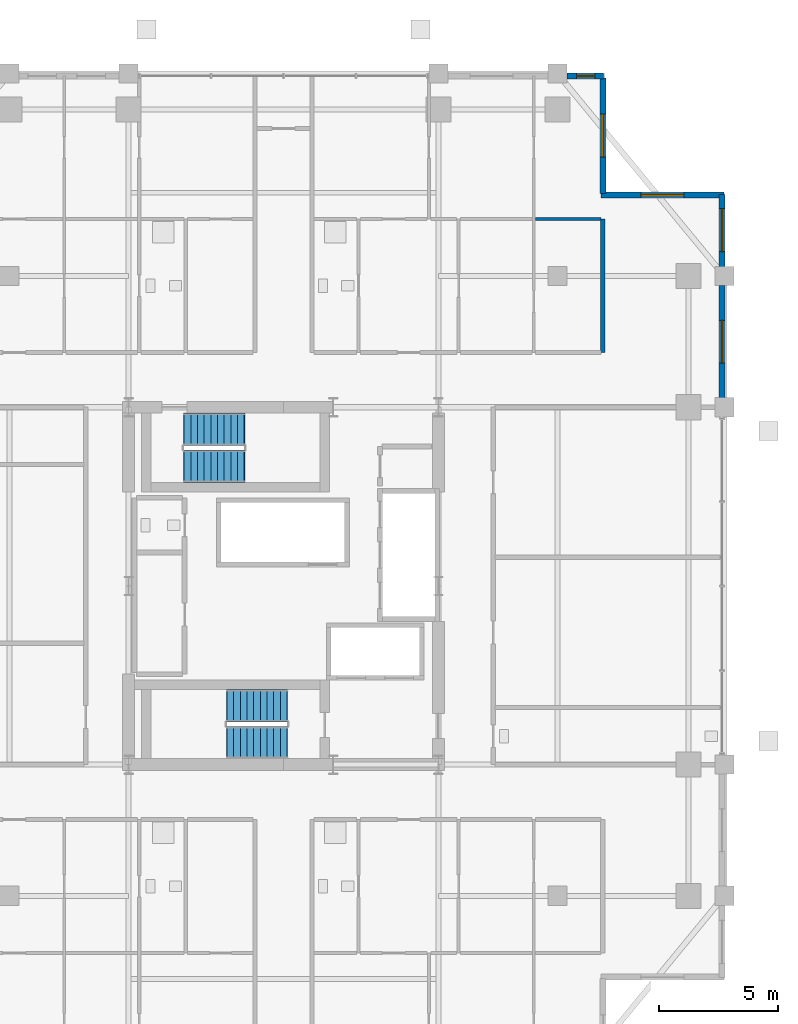
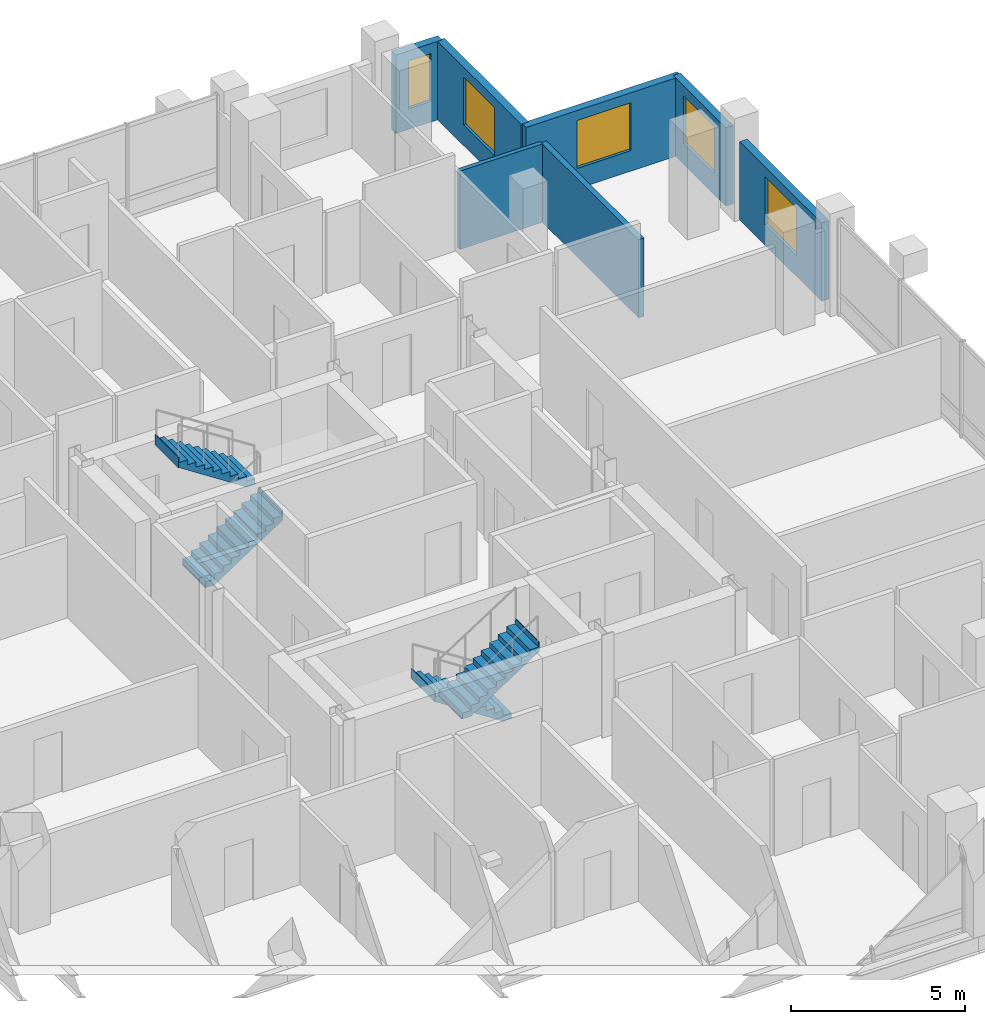
# One storey, part 22 of 24: 7 walls, 5 windows, 4 stair flights, 5 openings, 2 elements without a shape of their own.
"""IFC4 building model written with IfcOpenShell, lengths in metres."""

from ifc_helpers import new_model, si_unit, direction, frame, frame_2d, origin, place, context, subcontext, project, spatial, polyline, rectangle, outline, extrude, material, layer, layer_set, type_object, element, fill, aggregate, save


model = new_model("IFC4")

# Units and contexts
model_context = context("Model", 3, precision=1e-05, world=origin(), true_north=direction((0.0, 1.0)))
body_context = subcontext(model_context, "Body", "Model", "MODEL_VIEW")
ifc_project = project(units=[si_unit("LENGTHUNIT", "METRE"), si_unit("AREAUNIT", "SQUARE_METRE"), si_unit("VOLUMEUNIT", "CUBIC_METRE"), si_unit("PLANEANGLEUNIT", "RADIAN"), si_unit("MASSUNIT", "GRAM", prefix="KILO")], contexts=[model_context])

# Site, building, storey
site_placement = place(None, origin())
site = spatial("IfcSite", under=ifc_project, at=site_placement, CompositionType="ELEMENT")
building_placement = place(site_placement, origin())
building = spatial("IfcBuilding", under=site, at=building_placement, Name="Barlavira Tower and Art Museum", CompositionType="ELEMENT")
storey_placement = place(building_placement, frame((0.0, 0.0, 201.60009765625)))
storey = spatial("IfcBuildingStorey", under=building, at=storey_placement, Name="L52", CompositionType="ELEMENT", Elevation=201.60009765625)

# Walls
ifc_material_1 = material(Name="Gypsum acoustic stud partition", Category="gypsum")
ifc_layer_1 = layer(ifc_material_1, 0.179931640625, Name="Gypsum acoustic stud partition")
ifc_layer_set_1 = layer_set([ifc_layer_1], Name="Gypsum acoustic stud partition")
wall_type_1 = type_object("IfcWallType", Name="Inter-Tenancy Party Partition Wall 180", PredefinedType="PARTITIONING", material=ifc_layer_set_1)
wall_1_placement = place(storey_placement, frame((13.39990234375, 9.800048828125, 0.0), z_axis=(0.0, 0.0, 1.0), x_axis=(0.0, 1.0, 0.0)))
element("IfcWall", 1, at=wall_1_placement, inside=storey, type_object=wall_type_1, Name="L52 Partition Wall 27", PredefinedType="PARTITIONING", context=body_context, shape_type="SweptSolid", body=[
    extrude(rectangle(XDim=5.599853515625, YDim=0.179931640625, at=frame_2d((2.7998046875, 0.0))), origin(), (0.0, 0.0, 1.0), 2.747802734375),
])
ifc_layer_2 = layer(ifc_material_1, 0.139892578125, Name="Gypsum acoustic stud partition")
ifc_layer_set_2 = layer_set([ifc_layer_2], Name="Gypsum acoustic stud partition")
wall_type_2 = type_object("IfcWallType", Name="Moisture-Resistant Bathroom Partition 140", PredefinedType="PARTITIONING", material=ifc_layer_set_2)
wall_2_placement = place(storey_placement, frame((10.580078125, 15.39990234375, 0.0), z_axis=(0.0, 0.0, 1.0), x_axis=(1.0, 0.0, 0.0)))
element("IfcWall", 2, at=wall_2_placement, inside=storey, type_object=wall_type_2, Name="L52 Partition Wall 74", PredefinedType="PARTITIONING", context=body_context, shape_type="SweptSolid", body=[
    extrude(rectangle(XDim=2.739990234375, YDim=0.139892578125, at=frame_2d((1.3701171875, 0.0))), origin(), (0.0, 0.0, 1.0), 2.747802734375),
])

# Wall, opening, window
ifc_material_2 = material(Name="Precast concrete C40", Category="concrete")
ifc_layer_3 = layer(ifc_material_2, 0.25, Name="Precast concrete C40")
ifc_layer_set_3 = layer_set([ifc_layer_3], Name="Precast concrete C40")
wall_type_3 = type_object("IfcWallType", Name="Notched Corner Spandrel Wall 250 Precast Concrete C40", PredefinedType="SOLIDWALL", material=ifc_layer_set_3)
wall_3_placement = place(storey_placement, frame((13.425048828125, 21.39990234375, 0.0), z_axis=(0.0, 0.0, 1.0), x_axis=(-1.0, 0.0, 0.0)))
wall_3 = element("IfcWall", 3, at=wall_3_placement, inside=storey, type_object=wall_type_3, Name="L52 Coastal Facade Pier Wall CW3-L52-N-1", PredefinedType="SOLIDWALL", context=body_context, shape_type="SweptSolid", body=[
    extrude(rectangle(XDim=1.530029296875, YDim=0.25, at=frame_2d((0.76513671875, 0.0))), origin(), (0.0, 0.0, 1.0), 2.747802734375),
])
opening_1_placement = place(wall_3_placement, frame((0.363037109375, 0.0, 0.719970703125)))
opening_1 = element("IfcOpeningElement", 4, at=opening_1_placement, cuts=wall_3, Name="Opening WN-06", PredefinedType="OPENING", context=body_context, shape_type="SweptSolid", body=[
    extrude(rectangle(XDim=0.760009765625, YDim=1.679931640625, at=frame_2d((0.3798828125, 0.83984375))), frame((0.0, 0.135009765625, 0.0), z_axis=(0.0, -1.0, 0.0), x_axis=(1.0, 0.0, 0.0)), (0.0, 0.0, 1.0), 0.27001953125),
])
ifc_material_3 = material(Name="Low-iron coastal laminated glass", Category="glass")
window_type_1 = type_object("IfcWindowType", Name="Recessed Narrow Pier Window 760x1680", PartitioningType="SINGLE_PANEL", PredefinedType="WINDOW", material=ifc_material_3)
window_1_placement = place(opening_1_placement, origin())
window_1 = element("IfcWindow", 5, at=window_1_placement, inside=storey, type_object=window_type_1, Name="L52 Punched Facade Window EWP-CW3-L52-N-1-1", OverallHeight=1.679931640625, OverallWidth=0.760009765625, PartitioningType="SINGLE_PANEL", PredefinedType="WINDOW", context=body_context, shape_type="SweptSolid", body=[
    extrude(rectangle(XDim=0.760009765625, YDim=1.679931640625, at=frame_2d((0.3798828125, 0.83984375))), frame((0.0, 0.030029296875, 0.0), z_axis=(0.0, -1.0, 0.0), x_axis=(1.0, 0.0, 0.0)), (0.0, 0.0, 1.0), 0.06005859375),
])
fill(opening_1, window_1)

wall_4_placement = place(storey_placement, frame((18.39990234375, 7.89501953125, 0.0), z_axis=(0.0, 0.0, 1.0), x_axis=(0.0, 1.0, 0.0)))
wall_4 = element("IfcWall", 6, at=wall_4_placement, inside=storey, type_object=wall_type_3, Name="L52 Coastal Facade Pier Wall CW3-L52-E-4", PredefinedType="SOLIDWALL", context=body_context, shape_type="SweptSolid", body=[
    extrude(rectangle(XDim=4.7099609375, YDim=0.25, at=frame_2d((2.35498046875, 0.0))), origin(), (0.0, 0.0, 1.0), 2.747802734375),
])
opening_2_placement = place(wall_4_placement, frame((1.455078125, 0.0, 0.719970703125)))
opening_2 = element("IfcOpeningElement", 7, at=opening_2_placement, cuts=wall_4, Name="Opening WN-01", PredefinedType="OPENING", context=body_context, shape_type="SweptSolid", body=[
    extrude(rectangle(XDim=1.800048828125, YDim=1.679931640625, at=frame_2d((0.89990234375, 0.83984375))), frame((0.0, 0.135009765625, 0.0), z_axis=(0.0, -1.0, 0.0), x_axis=(1.0, 0.0, 0.0)), (0.0, 0.0, 1.0), 0.27001953125),
])
window_type_2 = type_object("IfcWindowType", Name="Recessed Notch Corner Punch Window 1800x1680", PartitioningType="SINGLE_PANEL", PredefinedType="WINDOW", material=ifc_material_3)
window_2_placement = place(opening_2_placement, origin())
window_2 = element("IfcWindow", 8, at=window_2_placement, inside=storey, type_object=window_type_2, Name="L52 Punched Facade Window EWP-CW3-L52-E-4-1", OverallHeight=1.679931640625, OverallWidth=1.800048828125, PartitioningType="SINGLE_PANEL", PredefinedType="WINDOW", context=body_context, shape_type="SweptSolid", body=[
    extrude(rectangle(XDim=1.800048828125, YDim=1.679931640625, at=frame_2d((0.89990234375, 0.83984375))), frame((0.0, 0.030029296875, 0.0), z_axis=(0.0, -1.0, 0.0), x_axis=(1.0, 0.0, 0.0)), (0.0, 0.0, 1.0), 0.06005859375),
])
fill(opening_2, window_2)

wall_5_placement = place(storey_placement, frame((18.39990234375, 13.39501953125, 0.0), z_axis=(0.0, 0.0, 1.0), x_axis=(0.0, 1.0, 0.0)))
wall_5 = element("IfcWall", 9, at=wall_5_placement, inside=storey, type_object=wall_type_3, Name="L52 Coastal Facade Pier Wall CW3-L52-E-5", PredefinedType="SOLIDWALL", context=body_context, shape_type="SweptSolid", body=[
    extrude(rectangle(XDim=3.030029296875, YDim=0.25, at=frame_2d((1.51513671875, 0.0))), origin(), (0.0, 0.0, 1.0), 2.747802734375),
])
opening_3_placement = place(wall_5_placement, frame((0.637939453125, 0.0, 0.719970703125)))
opening_3 = element("IfcOpeningElement", 10, at=opening_3_placement, cuts=wall_5, Name="Opening WN-01", PredefinedType="OPENING", context=body_context, shape_type="SweptSolid", body=[
    extrude(rectangle(XDim=1.800048828125, YDim=1.679931640625, at=frame_2d((0.89990234375, 0.83984375))), frame((0.0, 0.135009765625, 0.0), z_axis=(0.0, -1.0, 0.0), x_axis=(1.0, 0.0, 0.0)), (0.0, 0.0, 1.0), 0.27001953125),
])
window_3_placement = place(opening_3_placement, origin())
window_3 = element("IfcWindow", 11, at=window_3_placement, inside=storey, type_object=window_type_2, Name="L52 Punched Facade Window EWP-CW3-L52-E-5-1", OverallHeight=1.679931640625, OverallWidth=1.800048828125, PartitioningType="SINGLE_PANEL", PredefinedType="WINDOW", context=body_context, shape_type="SweptSolid", body=[
    extrude(rectangle(XDim=1.800048828125, YDim=1.679931640625, at=frame_2d((0.89990234375, 0.83984375))), frame((0.0, 0.030029296875, 0.0), z_axis=(0.0, -1.0, 0.0), x_axis=(1.0, 0.0, 0.0)), (0.0, 0.0, 1.0), 0.06005859375),
])
fill(opening_3, window_3)

wall_6_placement = place(storey_placement, frame((18.47998046875, 16.39990234375, 0.0), z_axis=(0.0, 0.0, 1.0), x_axis=(-1.0, 0.0, 0.0)))
wall_6 = element("IfcWall", 12, at=wall_6_placement, inside=storey, type_object=wall_type_3, Name="L52 Notch Corner Wall NE1", PredefinedType="SOLIDWALL", context=body_context, shape_type="SweptSolid", body=[
    extrude(rectangle(XDim=5.159912109375, YDim=0.25, at=frame_2d((2.580078125, 0.0))), origin(), (0.0, 0.0, 1.0), 2.747802734375),
])
opening_4_placement = place(wall_6_placement, frame((1.679931640625, 0.0, 0.719970703125)))
opening_4 = element("IfcOpeningElement", 13, at=opening_4_placement, cuts=wall_6, Name="Opening WN-01", PredefinedType="OPENING", context=body_context, shape_type="SweptSolid", body=[
    extrude(rectangle(XDim=1.800048828125, YDim=1.679931640625, at=frame_2d((0.89990234375, 0.83984375))), frame((0.0, 0.135009765625, 0.0), z_axis=(0.0, -1.0, 0.0), x_axis=(1.0, 0.0, 0.0)), (0.0, 0.0, 1.0), 0.27001953125),
])
window_4_placement = place(opening_4_placement, origin())
window_4 = element("IfcWindow", 14, at=window_4_placement, inside=storey, type_object=window_type_2, Name="L52 Punched Facade Window EW-NTC-L52-NE1-1", OverallHeight=1.679931640625, OverallWidth=1.800048828125, PartitioningType="SINGLE_PANEL", PredefinedType="WINDOW", context=body_context, shape_type="SweptSolid", body=[
    extrude(rectangle(XDim=1.800048828125, YDim=1.679931640625, at=frame_2d((0.89990234375, 0.83984375))), frame((0.0, 0.030029296875, 0.0), z_axis=(0.0, -1.0, 0.0), x_axis=(1.0, 0.0, 0.0)), (0.0, 0.0, 1.0), 0.06005859375),
])
fill(opening_4, window_4)

wall_7_placement = place(storey_placement, frame((13.39990234375, 16.47998046875, 0.0), z_axis=(0.0, 0.0, 1.0), x_axis=(0.0, 1.0, 0.0)))
wall_7 = element("IfcWall", 15, at=wall_7_placement, inside=storey, type_object=wall_type_3, Name="L52 Notch Corner Wall NE2", PredefinedType="SOLIDWALL", context=body_context, shape_type="SweptSolid", body=[
    extrude(rectangle(XDim=4.840087890625, YDim=0.25, at=frame_2d((2.419921875, 0.0))), origin(), (0.0, 0.0, 1.0), 2.747802734375),
])
opening_5_placement = place(wall_7_placement, frame((1.52001953125, 0.0, 0.719970703125)))
opening_5 = element("IfcOpeningElement", 16, at=opening_5_placement, cuts=wall_7, Name="Opening WN-01", PredefinedType="OPENING", context=body_context, shape_type="SweptSolid", body=[
    extrude(rectangle(XDim=1.800048828125, YDim=1.679931640625, at=frame_2d((0.89990234375, 0.83984375))), frame((0.0, 0.135009765625, 0.0), z_axis=(0.0, -1.0, 0.0), x_axis=(1.0, 0.0, 0.0)), (0.0, 0.0, 1.0), 0.27001953125),
])
window_5_placement = place(opening_5_placement, origin())
window_5 = element("IfcWindow", 17, at=window_5_placement, inside=storey, type_object=window_type_2, Name="L52 Punched Facade Window EW-NTC-L52-NE2-1", OverallHeight=1.679931640625, OverallWidth=1.800048828125, PartitioningType="SINGLE_PANEL", PredefinedType="WINDOW", context=body_context, shape_type="SweptSolid", body=[
    extrude(rectangle(XDim=1.800048828125, YDim=1.679931640625, at=frame_2d((0.89990234375, 0.83984375))), frame((0.0, 0.030029296875, 0.0), z_axis=(0.0, -1.0, 0.0), x_axis=(1.0, 0.0, 0.0)), (0.0, 0.0, 1.0), 0.06005859375),
])
fill(opening_5, window_5)

# Stair, stair flights
ifc_material_4 = material(Name="Concrete C45", Category="concrete")
stair_type_1 = type_object("IfcStairType", Name="Tower North Dog-Leg Exit Stair Assembly Concrete C45", PredefinedType="TWO_QUARTER_TURN_STAIR", material=ifc_material_4)
stair_1_placement = place(storey_placement, origin())
stair_1 = element("IfcStair", 18, at=stair_1_placement, inside=storey, type_object=stair_type_1, Name="L52 Tower North Exit Stair ST-T2", PredefinedType="TWO_QUARTER_TURN_STAIR")
ifc_material_5 = material(Name="Precast concrete C45", Category="concrete")
stair_flight_type_1 = type_object("IfcStairFlightType", Name="Tower North Dog-Leg Exit Stair Precast Flight 1350 Concrete C45", PredefinedType="STRAIGHT", material=ifc_material_5)
stair_flight_1_placement = place(storey_placement, frame((-4.169921875, 5.02490234375, 0.0), z_axis=(0.0, 0.0, 1.0), x_axis=(1.0, 0.0, 0.0)))
stair_flight_1 = element("IfcStairFlight", 19, at=stair_flight_1_placement, type_object=stair_flight_type_1, Name="ST-T2 flight 1", NumberOfRisers=10, NumberOfTreads=9, PredefinedType="STRAIGHT", RiserHeight=0.18, TreadLength=0.28, context=body_context, shape_type="SweptSolid", body=[
    extrude(outline(polyline([(-0.02490234375, 0.0), (0.0, 0.0), (0.0, 0.179931640625), (0.280029296875, 0.179931640625), (0.280029296875, 0.360107421875), (0.56005859375, 0.360107421875), (0.56005859375, 0.5400390625), (0.840087890625, 0.5400390625), (0.840087890625, 0.719970703125), (1.1201171875, 0.719970703125), (1.1201171875, 0.89990234375), (1.39990234375, 0.89990234375), (1.39990234375, 1.080078125), (1.679931640625, 1.080078125), (1.679931640625, 1.260009765625), (1.9599609375, 1.260009765625), (1.9599609375, 1.43994140625), (2.239990234375, 1.43994140625), (2.239990234375, 1.6201171875), (2.52001953125, 1.6201171875), (2.52001953125, 1.800048828125), (2.544921875, 1.800048828125), (2.544921875, 1.44189453125), (2.52001953125, 1.44189453125), (0.277099609375, -0.02490234375), (-0.02490234375, -0.02490234375), (-0.02490234375, 0.0)])), frame((0.0, 0.675048828125, 0.0), z_axis=(0.0, -1.0, 0.0), x_axis=(1.0, 0.0, 0.0)), (0.0, 0.0, 1.0), 1.35009765625),
])
stair_flight_2_placement = place(storey_placement, frame((-1.64990234375, 6.574951171875, 1.7998046875), z_axis=(0.0, 0.0, 1.0), x_axis=(-1.0, 0.0, 0.0)))
stair_flight_2 = element("IfcStairFlight", 20, at=stair_flight_2_placement, type_object=stair_flight_type_1, Name="ST-T2 flight 2", NumberOfRisers=10, NumberOfTreads=9, PredefinedType="STRAIGHT", RiserHeight=0.18, TreadLength=0.28, context=body_context, shape_type="SweptSolid", body=[
    extrude(outline(polyline([(-0.02490234375, 0.0), (0.0, 0.0), (0.0, 0.179931640625), (0.280029296875, 0.179931640625), (0.280029296875, 0.360107421875), (0.56005859375, 0.360107421875), (0.56005859375, 0.5400390625), (0.840087890625, 0.5400390625), (0.840087890625, 0.719970703125), (1.1201171875, 0.719970703125), (1.1201171875, 0.89990234375), (1.39990234375, 0.89990234375), (1.39990234375, 1.080078125), (1.679931640625, 1.080078125), (1.679931640625, 1.260009765625), (1.9599609375, 1.260009765625), (1.9599609375, 1.43994140625), (2.239990234375, 1.43994140625), (2.239990234375, 1.6201171875), (2.52001953125, 1.6201171875), (2.52001953125, 1.800048828125), (2.544921875, 1.800048828125), (2.544921875, 1.44189453125), (2.52001953125, 1.44189453125), (0.277099609375, -0.02490234375), (-0.02490234375, -0.02490234375), (-0.02490234375, 0.0)])), frame((0.0, 0.675048828125, 0.0), z_axis=(0.0, -1.0, 0.0), x_axis=(1.0, 0.0, 0.0)), (0.0, 0.0, 1.0), 1.35009765625),
])
aggregate(stair_1, [stair_flight_1, stair_flight_2])

stair_type_2 = type_object("IfcStairType", Name="Tower South Dog-Leg Exit Stair Assembly Concrete C45", PredefinedType="TWO_QUARTER_TURN_STAIR", material=ifc_material_4)
stair_2_placement = place(storey_placement, origin())
stair_2 = element("IfcStair", 21, at=stair_2_placement, inside=storey, type_object=stair_type_2, Name="L52 Tower South Exit Stair ST-T1", PredefinedType="TWO_QUARTER_TURN_STAIR")
stair_flight_type_2 = type_object("IfcStairFlightType", Name="Tower South Dog-Leg Exit Stair Precast Flight 1350 Concrete C45", PredefinedType="STRAIGHT", material=ifc_material_5)
stair_flight_3_placement = place(storey_placement, frame((0.14990234375, -5.02490234375, 0.0), z_axis=(0.0, 0.0, 1.0), x_axis=(-1.0, 0.0, 0.0)))
stair_flight_3 = element("IfcStairFlight", 22, at=stair_flight_3_placement, type_object=stair_flight_type_2, Name="ST-T1 flight 1", NumberOfRisers=10, NumberOfTreads=9, PredefinedType="STRAIGHT", RiserHeight=0.18, TreadLength=0.28, context=body_context, shape_type="SweptSolid", body=[
    extrude(outline(polyline([(-0.02490234375, 0.0), (0.0, 0.0), (0.0, 0.179931640625), (0.280029296875, 0.179931640625), (0.280029296875, 0.360107421875), (0.56005859375, 0.360107421875), (0.56005859375, 0.5400390625), (0.840087890625, 0.5400390625), (0.840087890625, 0.719970703125), (1.1201171875, 0.719970703125), (1.1201171875, 0.89990234375), (1.39990234375, 0.89990234375), (1.39990234375, 1.080078125), (1.679931640625, 1.080078125), (1.679931640625, 1.260009765625), (1.9599609375, 1.260009765625), (1.9599609375, 1.43994140625), (2.239990234375, 1.43994140625), (2.239990234375, 1.6201171875), (2.52001953125, 1.6201171875), (2.52001953125, 1.800048828125), (2.544921875, 1.800048828125), (2.544921875, 1.44189453125), (2.52001953125, 1.44189453125), (0.277099609375, -0.02490234375), (-0.02490234375, -0.02490234375), (-0.02490234375, 0.0)])), frame((0.0, 0.675048828125, 0.0), z_axis=(0.0, -1.0, 0.0), x_axis=(1.0, 0.0, 0.0)), (0.0, 0.0, 1.0), 1.35009765625),
])
stair_flight_4_placement = place(storey_placement, frame((-2.3701171875, -6.574951171875, 1.7998046875), z_axis=(0.0, 0.0, 1.0), x_axis=(1.0, 0.0, 0.0)))
stair_flight_4 = element("IfcStairFlight", 23, at=stair_flight_4_placement, type_object=stair_flight_type_2, Name="ST-T1 flight 2", NumberOfRisers=10, NumberOfTreads=9, PredefinedType="STRAIGHT", RiserHeight=0.18, TreadLength=0.28, context=body_context, shape_type="SweptSolid", body=[
    extrude(outline(polyline([(-0.02490234375, 0.0), (0.0, 0.0), (0.0, 0.179931640625), (0.280029296875, 0.179931640625), (0.280029296875, 0.360107421875), (0.56005859375, 0.360107421875), (0.56005859375, 0.5400390625), (0.840087890625, 0.5400390625), (0.840087890625, 0.719970703125), (1.1201171875, 0.719970703125), (1.1201171875, 0.89990234375), (1.39990234375, 0.89990234375), (1.39990234375, 1.080078125), (1.679931640625, 1.080078125), (1.679931640625, 1.260009765625), (1.9599609375, 1.260009765625), (1.9599609375, 1.43994140625), (2.239990234375, 1.43994140625), (2.239990234375, 1.6201171875), (2.52001953125, 1.6201171875), (2.52001953125, 1.800048828125), (2.544921875, 1.800048828125), (2.544921875, 1.44189453125), (2.52001953125, 1.44189453125), (0.277099609375, -0.02490234375), (-0.02490234375, -0.02490234375), (-0.02490234375, 0.0)])), frame((0.0, 0.675048828125, 0.0), z_axis=(0.0, -1.0, 0.0), x_axis=(1.0, 0.0, 0.0)), (0.0, 0.0, 1.0), 1.35009765625),
])
aggregate(stair_2, [stair_flight_3, stair_flight_4])

save(model, "model.ifc")
